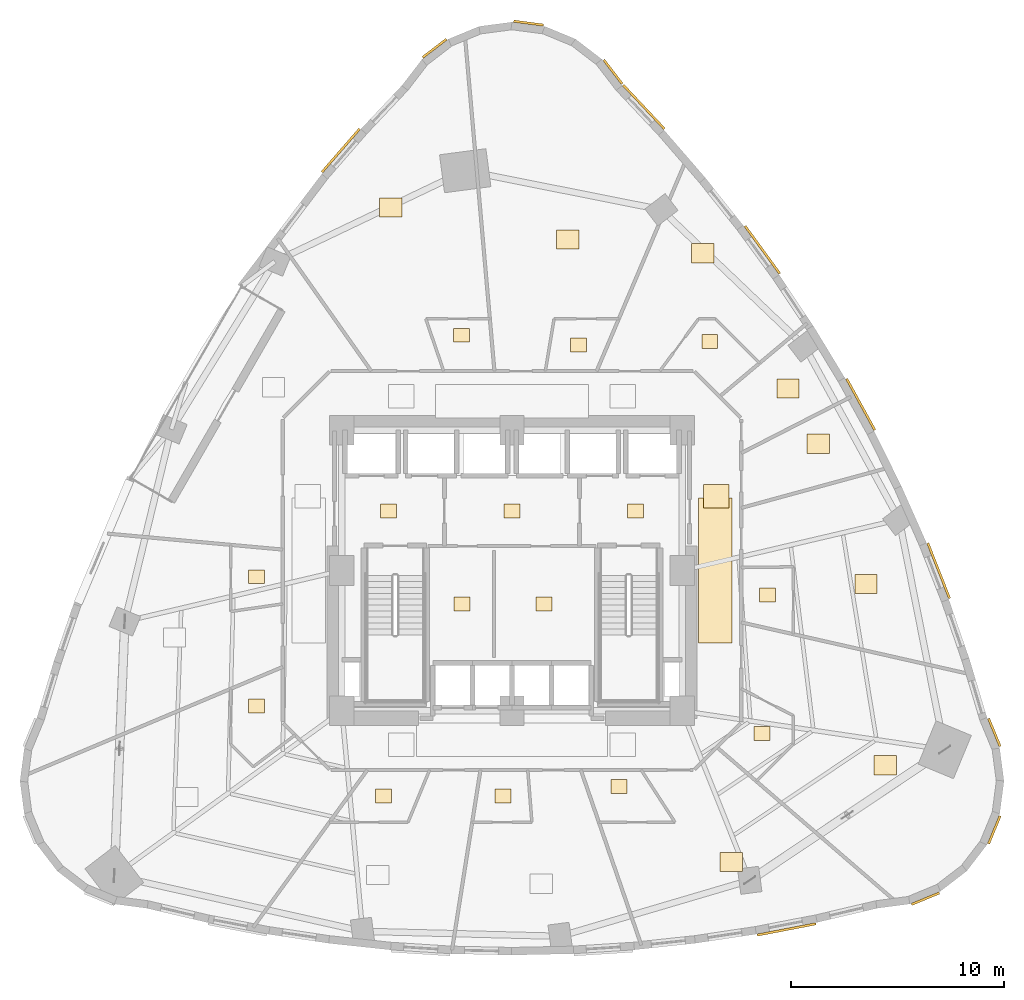
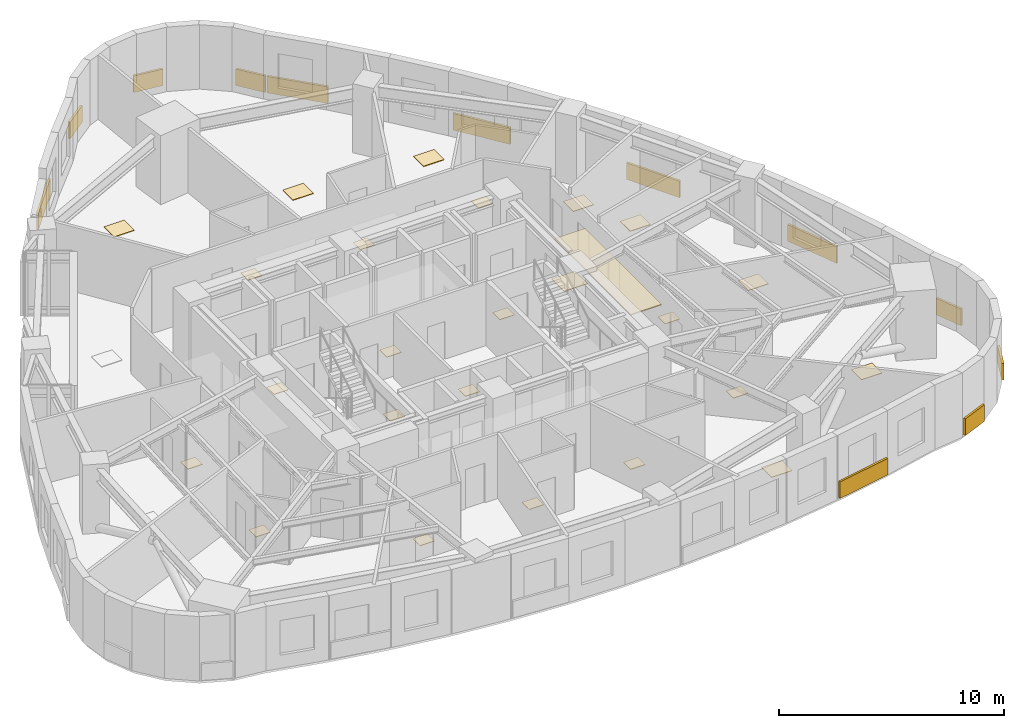
# One storey, part 13 of 13: 37 coverings.
"""IFC4 building model written with IfcOpenShell, lengths in metres."""

from ifc_helpers import new_model, si_unit, direction, frame, origin, origin_2d, place, context, subcontext, project, spatial, rectangle, extrude, material, layer, layer_set, type_object, element, save


model = new_model("IFC4")

# Units and contexts
model_context = context("Model", 3, precision=1e-05, world=origin(), true_north=direction((0.0, 1.0)))
body_context = subcontext(model_context, "Body", "Model", "MODEL_VIEW")
ifc_project = project(units=[si_unit("LENGTHUNIT", "METRE"), si_unit("AREAUNIT", "SQUARE_METRE"), si_unit("VOLUMEUNIT", "CUBIC_METRE"), si_unit("PLANEANGLEUNIT", "RADIAN"), si_unit("MASSUNIT", "GRAM", prefix="KILO")], contexts=[model_context])

# Site, building, storey
site_placement = place(None, origin())
site = spatial("IfcSite", under=ifc_project, at=site_placement, CompositionType="ELEMENT")
building_placement = place(site_placement, origin())
building = spatial("IfcBuilding", under=site, at=building_placement, Name="Ndelora Gate Hotel", CompositionType="ELEMENT")
storey_placement = place(building_placement, frame((0.0, 0.0, 34.25)))
storey = spatial("IfcBuildingStorey", under=building, at=storey_placement, Name="L07", CompositionType="ELEMENT", Elevation=34.25)

# Coverings
ifc_material_1 = material(Name="Perforated Acoustic Gypsum Board", Category="gypsum")
ifc_layer_1 = layer(ifc_material_1, 0.054931640625)
ifc_layer_set_1 = layer_set([ifc_layer_1], Name="Perforated Acoustic Gypsum Board")
covering_type_1 = type_object("IfcCoveringType", Name="COV-CEIL-AC60", PredefinedType="CEILING", material=ifc_layer_set_1)
covering_1_placement = place(storey_placement, frame((9.550048828125, 0.0, 2.65234375), z_axis=(0.0, 0.0, 1.0), x_axis=(1.0, 0.0, 0.0)))
element("IfcCovering", 1, at=covering_1_placement, inside=storey, type_object=covering_type_1, Name="L07 Guest Corridor Acoustic Ceiling E", PredefinedType="CEILING", context=body_context, shape_type="SweptSolid", body=[
    extrude(rectangle(XDim=1.580078125, YDim=6.800048828125, at=origin_2d()), origin(), (0.0, 0.0, 1.0), 0.054931640625),
])
ifc_material_2 = material(Name="Terracotta Fired Clay Brick Slip Cladding", Category="masonry")
ifc_layer_2 = layer(ifc_material_2, 0.110107421875)
ifc_layer_set_2 = layer_set([ifc_layer_2], Name="Terracotta Fired Clay Brick Slip Cladding")
covering_type_2 = type_object("IfcCoveringType", Name="COV-CLAD-BRK", PredefinedType="CLADDING", material=ifc_layer_set_2)
for number, where, z_axis, x_axis, name in (
    (2, (4.747314453125, 23.45068359375, 0.10009765625), (0.0, 0.0, 1.0), (-0.608761429009, 0.793353340291, 0.0), "L07 Rounded-Corner Brick Cladding Band 1"),
    (3, (0.781005859375, 25.740478515625, 0.10009765625), (0.0, 0.0, 1.0), (-0.991444861374, 0.13052619222, 0.0), "L07 Rounded-Corner Brick Cladding Band 4"),
    (4, (-3.642578125, 24.55517578125, 0.10009765625), (0.0, 0.0, 1.0), (0.793353340291, 0.608761429009, 0.0), "L07 Rounded-Corner Brick Cladding Band 7"),
):
    element("IfcCovering", number, at=place(storey_placement, frame(where, z_axis=z_axis, x_axis=x_axis)), inside=storey, type_object=covering_type_2, Name=name, PredefinedType="CLADDING", context=body_context, shape_type="SweptSolid", body=[
        extrude(rectangle(XDim=1.4140625, YDim=0.110107421875, at=origin_2d()), origin(), (0.0, 0.0, 1.0), 0.89990234375),
    ])
covering_2_placement = place(storey_placement, frame((-8.05029296875, 19.75341796875, 0.10009765625), z_axis=(0.0, 0.0, 1.0), x_axis=(0.656454104053, 0.75436596508, 0.0)))
element("IfcCovering", 5, at=covering_2_placement, inside=storey, type_object=covering_type_2, Name="L07 Rounded-Corner Brick Cladding Band 10", PredefinedType="CLADDING", context=body_context, shape_type="SweptSolid", body=[
    extrude(rectangle(XDim=2.696044921875, YDim=0.110107421875, at=origin_2d()), origin(), (0.0, 0.0, 1.0), 0.89990234375),
])
covering_3_placement = place(storey_placement, frame((12.90966796875, -16.88037109375, 0.10009765625), z_axis=(0.0, 0.0, 1.0), x_axis=(0.981991701121, 0.188924055984, 0.0)))
element("IfcCovering", 6, at=covering_3_placement, inside=storey, type_object=covering_type_2, Name="L07 Rounded-Corner Brick Cladding Band 37", PredefinedType="CLADDING", context=body_context, shape_type="SweptSolid", body=[
    extrude(rectangle(XDim=2.81103515625, YDim=0.110107421875, at=origin_2d()), origin(), (0.0, 0.0, 1.0), 0.89990234375),
])
for number, where, z_axis, x_axis, name in (
    (7, (19.444091796875, -15.432373046875, 0.10009765625), (0.0, 0.0, 1.0), (0.923879532511, 0.382683432365, 0.0), "L07 Rounded-Corner Brick Cladding Band 40"),
    (8, (22.6826171875, -12.19384765625, 0.10009765625), (0.0, 0.0, 1.0), (0.382683432365, 0.923879532511, 0.0), "L07 Rounded-Corner Brick Cladding Band 43"),
    (9, (22.6826171875, -7.614013671875, 0.10009765625), (0.0, 0.0, 1.0), (-0.382683432365, 0.923879532511, 0.0), "L07 Rounded-Corner Brick Cladding Band 46"),
):
    element("IfcCovering", number, at=place(storey_placement, frame(where, z_axis=z_axis, x_axis=x_axis)), inside=storey, type_object=covering_type_2, Name=name, PredefinedType="CLADDING", context=body_context, shape_type="SweptSolid", body=[
        extrude(rectangle(XDim=1.4140625, YDim=0.110107421875, at=origin_2d()), origin(), (0.0, 0.0, 1.0), 0.89990234375),
    ])
covering_4_placement = place(storey_placement, frame((20.064208984375, -0.010498046875, 0.10009765625), z_axis=(0.0, 0.0, 1.0), x_axis=(-0.366338832643, 0.930481520342, 0.0)))
element("IfcCovering", 10, at=covering_4_placement, inside=storey, type_object=covering_type_2, Name="L07 Rounded-Corner Brick Cladding Band 49", PredefinedType="CLADDING", context=body_context, shape_type="SweptSolid", body=[
    extrude(rectangle(XDim=2.791015625, YDim=0.110107421875, at=origin_2d()), origin(), (0.0, 0.0, 1.0), 0.89990234375),
])
covering_5_placement = place(storey_placement, frame((16.398193359375, 7.81103515625, 0.10009765625), z_axis=(0.0, 0.0, 1.0), x_axis=(-0.48129477498, 0.876558805544, 0.0)))
element("IfcCovering", 11, at=covering_5_placement, inside=storey, type_object=covering_type_2, Name="L07 Rounded-Corner Brick Cladding Band 52", PredefinedType="CLADDING", context=body_context, shape_type="SweptSolid", body=[
    extrude(rectangle(XDim=2.760009765625, YDim=0.110107421875, at=origin_2d()), origin(), (0.0, 0.0, 1.0), 0.89990234375),
])
covering_6_placement = place(storey_placement, frame((11.776123046875, 15.080810546875, 0.10009765625), z_axis=(0.0, 0.0, 1.0), x_axis=(-0.589196357353, 0.807989883898, 0.0)))
element("IfcCovering", 12, at=covering_6_placement, inside=storey, type_object=covering_type_2, Name="L07 Rounded-Corner Brick Cladding Band 55", PredefinedType="CLADDING", context=body_context, shape_type="SweptSolid", body=[
    extrude(rectangle(XDim=2.77490234375, YDim=0.110107421875, at=origin_2d()), origin(), (0.0, 0.0, 1.0), 0.89990234375),
])
covering_7_placement = place(storey_placement, frame((6.198974609375, 21.7978515625, 0.10009765625), z_axis=(0.0, 0.0, 1.0), x_axis=(-0.684928699156, 0.728610099486, 0.0)))
element("IfcCovering", 13, at=covering_7_placement, inside=storey, type_object=covering_type_2, Name="L07 Rounded-Corner Brick Cladding Band 58", PredefinedType="CLADDING", context=body_context, shape_type="SweptSolid", body=[
    extrude(rectangle(XDim=2.8369140625, YDim=0.110107421875, at=origin_2d()), origin(), (0.0, 0.0, 1.0), 0.89990234375),
])
ifc_material_3 = material(Name="Engineered Highland Oak Parquet", Category="wood")
ifc_layer_3 = layer(ifc_material_3, 0.030029296875)
ifc_layer_set_3 = layer_set([ifc_layer_3], Name="Engineered Highland Oak Parquet")
covering_type_3 = type_object("IfcCoveringType", Name="COV-FLR-PARQ", PredefinedType="FLOORING", material=ifc_layer_set_3)
for number, where, z_axis, x_axis, name in (
    (14, (8.96484375, 14.919677734375, 0.0), (0.0, 0.0, 1.0), (1.0, 0.0, 0.0), "L07 Deluxe King Guest Room 1001 Oak Parquet Flooring"),
    (15, (2.614990234375, 15.5595703125, 0.0), (0.0, 0.0, 1.0), (1.0, 0.0, 0.0), "L07 Twin Junior Suite 1002 Oak Parquet Flooring"),
    (16, (-5.703125, 17.065673828125, 0.0), (0.0, 0.0, 1.0), (1.0, 0.0, 0.0), "L07 Corner Junior Suite 1003 Oak Parquet Flooring"),
    (17, (10.306640625, -13.71337890625, 0.0), (0.0, 0.0, 1.0), (1.0, 0.0, 0.0), "L07 Corner Junior Suite 1008 Oak Parquet Flooring"),
    (18, (17.554931640625, -9.15869140625, 0.0), (0.0, 0.0, 1.0), (1.0, 0.0, 0.0), "L07 Deluxe King Junior Suite 1009 Oak Parquet Flooring"),
    (19, (16.64501953125, -0.641357421875, 0.0), (0.0, 0.0, 1.0), (1.0, 0.0, 0.0), "L07 Twin Guest Room 1010 Oak Parquet Flooring"),
    (20, (14.4013671875, 5.96240234375, 0.0), (0.0, 0.0, 1.0), (1.0, 0.0, 0.0), "L07 Housekeeping and Linen Room Oak Parquet Flooring"),
    (21, (12.976318359375, 8.556884765625, 0.0), (0.0, 0.0, 1.0), (1.0, 0.0, 0.0), "L07 Accessible WC Oak Parquet Flooring"),
):
    element("IfcCovering", number, at=place(storey_placement, frame(where, z_axis=z_axis, x_axis=x_axis)), inside=storey, type_object=covering_type_3, Name=name, PredefinedType="FLOORING", context=body_context, shape_type="SweptSolid", body=[
        extrude(rectangle(XDim=1.050048828125, YDim=0.89990234375, at=origin_2d()), origin(), (0.0, 0.0, 1.0), 0.030029296875),
    ])
ifc_material_4 = material(Name="Polished Highland Stone Terrazzo", Category="masonry")
ifc_layer_4 = layer(ifc_material_4, 0.034912109375)
ifc_layer_set_4 = layer_set([ifc_layer_4], Name="Polished Highland Stone Terrazzo")
covering_type_4 = type_object("IfcCoveringType", Name="COV-FLR-TERZ", PredefinedType="FLOORING", material=ifc_layer_set_4)
covering_8_placement = place(storey_placement, frame((9.60009765625, 3.5, 0.0), z_axis=(0.0, 0.0, 1.0), x_axis=(1.0, 0.0, 0.0)))
element("IfcCovering", 22, at=covering_8_placement, inside=storey, type_object=covering_type_4, Name="L07 Corridor Threshold Terrazzo Inlay E", PredefinedType="FLOORING", context=body_context, shape_type="SweptSolid", body=[
    extrude(rectangle(XDim=1.199951171875, YDim=1.10009765625, at=origin_2d()), origin(), (0.0, 0.0, 1.0), 0.034912109375),
])
ifc_material_5 = material(Name="Non-Slip Porcelain Wet-Room Tile", Category="ceramic")
ifc_layer_5 = layer(ifc_material_5, 0.02490234375)
ifc_layer_set_5 = layer_set([ifc_layer_5], Name="Non-Slip Porcelain Wet-Room Tile")
covering_type_5 = type_object("IfcCoveringType", Name="COV-FLR-TILE", PredefinedType="FLOORING", material=ifc_layer_set_5)
for number, where, z_axis, x_axis, name in (
    (23, (-5.800048828125, 2.800048828125, 0.0), (0.0, 0.0, 1.0), (1.0, 0.0, 0.0), "L07 Firefighting Lift Lobby West Porcelain Tile Flooring"),
    (24, (5.800048828125, 2.800048828125, 0.0), (0.0, 0.0, 1.0), (1.0, 0.0, 0.0), "L07 Firefighting Lift Lobby East Porcelain Tile Flooring"),
    (25, (0.0, 2.800048828125, 0.0), (0.0, 0.0, 1.0), (1.0, 0.0, 0.0), "L07 Central Passenger Lift Lobby Porcelain Tile Flooring"),
    (26, (-2.35009765625, -1.574951171875, 0.0), (0.0, 0.0, 1.0), (1.0, 0.0, 0.0), "L07 Core Electrical Switchroom Porcelain Tile Flooring"),
    (27, (1.5, -1.574951171875, 0.0), (0.0, 0.0, 1.0), (1.0, 0.0, 0.0), "L07 Central Linen Equipment Store Porcelain Tile Flooring"),
    (28, (9.2998046875, 10.772705078125, 0.0), (0.0, 0.0, 1.0), (1.0, 0.0, 0.0), "L07 En-suite Bathroom 1001 Porcelain Tile Flooring"),
    (29, (3.135498046875, 10.60498046875, 0.0), (0.0, 0.0, 1.0), (1.0, 0.0, 0.0), "L07 En-suite Bathroom 1002 Porcelain Tile Flooring"),
    (30, (-2.38037109375, 11.059814453125, 0.0), (0.0, 0.0, 1.0), (1.0, 0.0, 0.0), "L07 En-suite Bathroom 1003 Porcelain Tile Flooring"),
    (31, (-12.0048828125, -0.294921875, 0.0), (0.0, 0.0, 1.0), (1.0, 0.0, 0.0), "L07 En-suite Bathroom 1004 Porcelain Tile Flooring"),
    (32, (-12.0048828125, -6.370849609375, 0.0), (0.0, 0.0, 1.0), (1.0, 0.0, 0.0), "L07 En-suite Bathroom 1005 Porcelain Tile Flooring"),
    (33, (-6.033203125, -10.60498046875, 0.0), (0.0, 0.0, 1.0), (1.0, 0.0, 0.0), "L07 En-suite Bathroom 1006 Porcelain Tile Flooring"),
    (34, (-0.4189453125, -10.60498046875, 0.0), (0.0, 0.0, 1.0), (1.0, 0.0, 0.0), "L07 En-suite Bathroom 1007 Porcelain Tile Flooring"),
    (35, (5.040771484375, -10.161376953125, 0.0), (0.0, 0.0, 1.0), (1.0, 0.0, 0.0), "L07 En-suite Bathroom 1008 Porcelain Tile Flooring"),
    (36, (11.756591796875, -7.663330078125, 0.0), (0.0, 0.0, 1.0), (1.0, 0.0, 0.0), "L07 En-suite Bathroom 1009 Porcelain Tile Flooring"),
    (37, (12.0048828125, -1.15380859375, 0.0), (0.0, 0.0, 1.0), (1.0, 0.0, 0.0), "L07 En-suite Bathroom 1010 Porcelain Tile Flooring"),
):
    element("IfcCovering", number, at=place(storey_placement, frame(where, z_axis=z_axis, x_axis=x_axis)), inside=storey, type_object=covering_type_5, Name=name, PredefinedType="FLOORING", context=body_context, shape_type="SweptSolid", body=[
        extrude(rectangle(XDim=0.75, YDim=0.64990234375, at=origin_2d()), origin(), (0.0, 0.0, 1.0), 0.02490234375),
    ])

save(model, "model.ifc")
